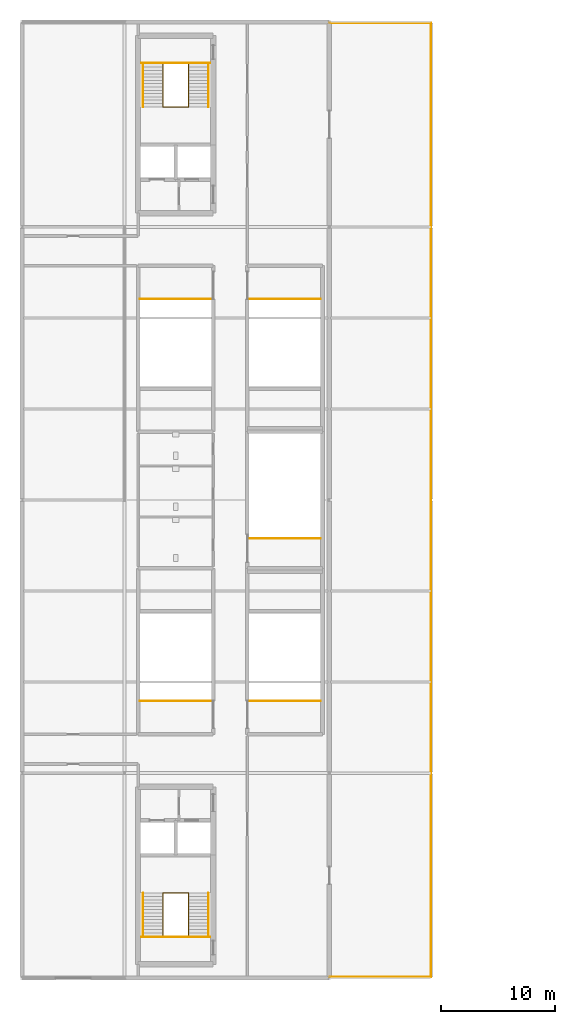
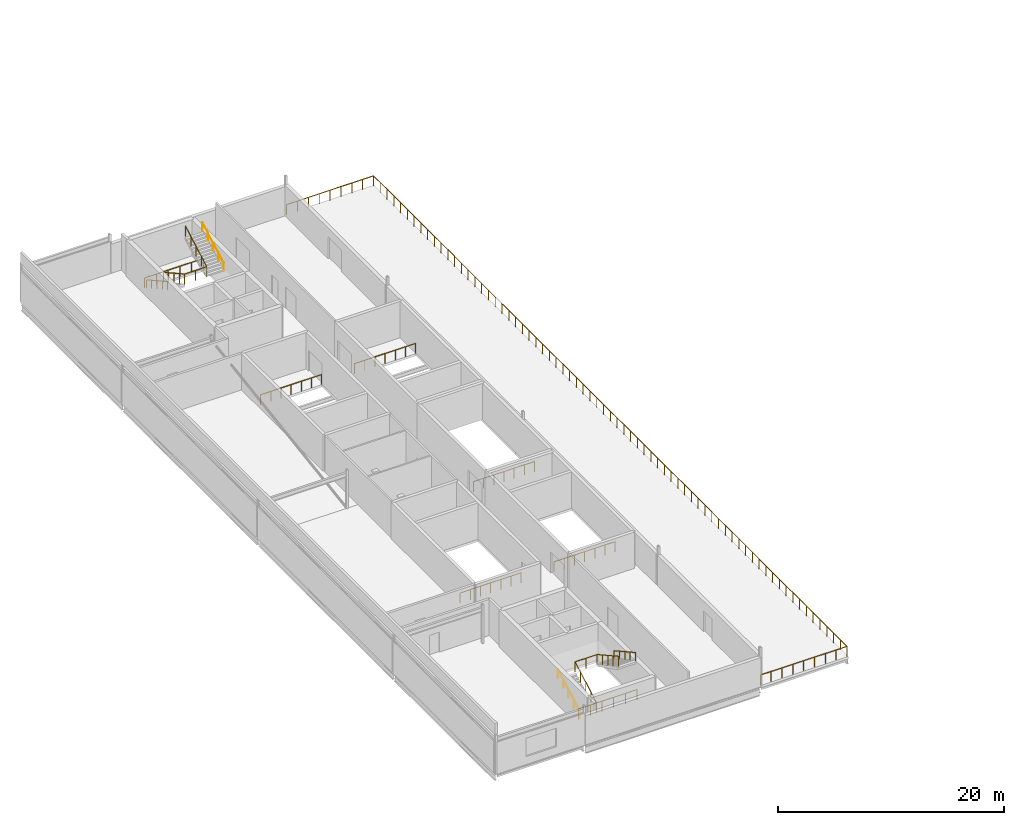
# One storey, part 21 of 23: 14 railings.
"""IFC4 building model written with IfcOpenShell, lengths in metres."""

from ifc_helpers import new_model, si_unit, direction, frame, origin, origin_2d, place, context, subcontext, project, spatial, circle, extrude, material, type_object, element, save


model = new_model("IFC4")

# Units and contexts
model_context = context("Model", 3, precision=1e-05, world=origin(), true_north=direction((0.0, 1.0)))
body_context = subcontext(model_context, "Body", "Model", "MODEL_VIEW")
ifc_project = project(units=[si_unit("LENGTHUNIT", "METRE"), si_unit("AREAUNIT", "SQUARE_METRE"), si_unit("VOLUMEUNIT", "CUBIC_METRE"), si_unit("PLANEANGLEUNIT", "RADIAN"), si_unit("MASSUNIT", "GRAM", prefix="KILO")], contexts=[model_context])

# Site, building, storey
site_placement = place(None, origin())
site = spatial("IfcSite", under=ifc_project, at=site_placement, CompositionType="ELEMENT")
building_placement = place(site_placement, origin())
building = spatial("IfcBuilding", under=site, at=building_placement, Name="Kisiwana Market Hall", CompositionType="ELEMENT")
storey_placement = place(building_placement, frame((0.0, 0.0, 65.699951171875)))
storey = spatial("IfcBuildingStorey", under=building, at=storey_placement, Name="L15", CompositionType="ELEMENT", Elevation=65.699951171875)

# Railings
ifc_material_1 = material(Name="Steel S275", Category="steel")
railing_type_1 = type_object("IfcRailingType", Name="RL-BALUST-1100", PredefinedType="BALUSTRADE", material=ifc_material_1)
railing_1_placement = place(storey_placement, frame((27.050048828125, 18.080078125, 0.0)))
element("IfcRailing", 1, at=railing_1_placement, inside=storey, type_object=railing_type_1, Name="L15 West Observatory Terrace Guardrail 1100 RL-1706", PredefinedType="BALUSTRADE", context=body_context, shape_type="SweptSolid", body=[
    extrude(circle(Radius=0.02392578125, at=origin_2d()), frame((0.0, 0.0, 1.076171875), z_axis=(1.0, 0.0, 0.0), x_axis=(0.0, 1.0, 0.0)), (0.0, 0.0, 1.0), 8.869873046875),
    extrude(circle(Radius=0.02392578125, at=origin_2d()), frame((8.869873046875, 0.0, 1.076171875), z_axis=(0.0, 1.0, 0.0), x_axis=(-1.0, 0.0, 0.0)), (0.0, 0.0, 1.0), 83.83984375),
    extrude(circle(Radius=0.02392578125, at=origin_2d()), frame((8.869873046875, 83.83984375, 1.076171875), z_axis=(-1.0, 0.0, 0.0), x_axis=(0.0, -1.0, 0.0)), (0.0, 0.0, 1.0), 8.869873046875),
    extrude(circle(Radius=0.02099609375, at=origin_2d()), origin(), (0.0, 0.0, 1.0), 1.052001953125),
    extrude(circle(Radius=0.02099609375, at=origin_2d()), frame((1.108642578125, 0.0, 0.0)), (0.0, 0.0, 1.0), 1.052001953125),
    extrude(circle(Radius=0.02099609375, at=origin_2d()), frame((2.217529296875, 0.0, 0.0)), (0.0, 0.0, 1.0), 1.052001953125),
    extrude(circle(Radius=0.02099609375, at=origin_2d()), frame((3.326171875, 0.0, 0.0)), (0.0, 0.0, 1.0), 1.052001953125),
    extrude(circle(Radius=0.02099609375, at=origin_2d()), frame((4.43505859375, 0.0, 0.0)), (0.0, 0.0, 1.0), 1.052001953125),
    extrude(circle(Radius=0.02099609375, at=origin_2d()), frame((5.543701171875, 0.0, 0.0)), (0.0, 0.0, 1.0), 1.052001953125),
    extrude(circle(Radius=0.02099609375, at=origin_2d()), frame((6.65234375, 0.0, 0.0)), (0.0, 0.0, 1.0), 1.052001953125),
    extrude(circle(Radius=0.02099609375, at=origin_2d()), frame((7.76123046875, 0.0, 0.0)), (0.0, 0.0, 1.0), 1.052001953125),
    extrude(circle(Radius=0.02099609375, at=origin_2d()), frame((8.869873046875, 0.0, 0.0)), (0.0, 0.0, 1.0), 1.052001953125),
    extrude(circle(Radius=0.02099609375, at=origin_2d()), frame((8.869873046875, 1.19775390625, 0.0)), (0.0, 0.0, 1.0), 1.052001953125),
    extrude(circle(Radius=0.02099609375, at=origin_2d()), frame((8.869873046875, 2.3955078125, 0.0)), (0.0, 0.0, 1.0), 1.052001953125),
    extrude(circle(Radius=0.02099609375, at=origin_2d()), frame((8.869873046875, 3.593017578125, 0.0)), (0.0, 0.0, 1.0), 1.052001953125),
    extrude(circle(Radius=0.02099609375, at=origin_2d()), frame((8.869873046875, 4.790771484375, 0.0)), (0.0, 0.0, 1.0), 1.052001953125),
    extrude(circle(Radius=0.02099609375, at=origin_2d()), frame((8.869873046875, 5.988525390625, 0.0)), (0.0, 0.0, 1.0), 1.052001953125),
    extrude(circle(Radius=0.02099609375, at=origin_2d()), frame((8.869873046875, 7.186279296875, 0.0)), (0.0, 0.0, 1.0), 1.052001953125),
    extrude(circle(Radius=0.02099609375, at=origin_2d()), frame((8.869873046875, 8.384033203125, 0.0)), (0.0, 0.0, 1.0), 1.052001953125),
    extrude(circle(Radius=0.02099609375, at=origin_2d()), frame((8.869873046875, 9.581787109375, 0.0)), (0.0, 0.0, 1.0), 1.052001953125),
    extrude(circle(Radius=0.02099609375, at=origin_2d()), frame((8.869873046875, 10.779296875, 0.0)), (0.0, 0.0, 1.0), 1.052001953125),
    extrude(circle(Radius=0.02099609375, at=origin_2d()), frame((8.869873046875, 11.97705078125, 0.0)), (0.0, 0.0, 1.0), 1.052001953125),
    extrude(circle(Radius=0.02099609375, at=origin_2d()), frame((8.869873046875, 13.1748046875, 0.0)), (0.0, 0.0, 1.0), 1.052001953125),
    extrude(circle(Radius=0.02099609375, at=origin_2d()), frame((8.869873046875, 14.37255859375, 0.0)), (0.0, 0.0, 1.0), 1.052001953125),
    extrude(circle(Radius=0.02099609375, at=origin_2d()), frame((8.869873046875, 15.5703125, 0.0)), (0.0, 0.0, 1.0), 1.052001953125),
    extrude(circle(Radius=0.02099609375, at=origin_2d()), frame((8.869873046875, 16.76806640625, 0.0)), (0.0, 0.0, 1.0), 1.052001953125),
    extrude(circle(Radius=0.02099609375, at=origin_2d()), frame((8.869873046875, 17.965576171875, 0.0)), (0.0, 0.0, 1.0), 1.052001953125),
    extrude(circle(Radius=0.02099609375, at=origin_2d()), frame((8.869873046875, 19.163330078125, 0.0)), (0.0, 0.0, 1.0), 1.052001953125),
    extrude(circle(Radius=0.02099609375, at=origin_2d()), frame((8.869873046875, 20.361083984375, 0.0)), (0.0, 0.0, 1.0), 1.052001953125),
    extrude(circle(Radius=0.02099609375, at=origin_2d()), frame((8.869873046875, 21.558837890625, 0.0)), (0.0, 0.0, 1.0), 1.052001953125),
    extrude(circle(Radius=0.02099609375, at=origin_2d()), frame((8.869873046875, 22.756591796875, 0.0)), (0.0, 0.0, 1.0), 1.052001953125),
    extrude(circle(Radius=0.02099609375, at=origin_2d()), frame((8.869873046875, 23.954345703125, 0.0)), (0.0, 0.0, 1.0), 1.052001953125),
    extrude(circle(Radius=0.02099609375, at=origin_2d()), frame((8.869873046875, 25.15185546875, 0.0)), (0.0, 0.0, 1.0), 1.052001953125),
    extrude(circle(Radius=0.02099609375, at=origin_2d()), frame((8.869873046875, 26.349609375, 0.0)), (0.0, 0.0, 1.0), 1.052001953125),
    extrude(circle(Radius=0.02099609375, at=origin_2d()), frame((8.869873046875, 27.54736328125, 0.0)), (0.0, 0.0, 1.0), 1.052001953125),
    extrude(circle(Radius=0.02099609375, at=origin_2d()), frame((8.869873046875, 28.7451171875, 0.0)), (0.0, 0.0, 1.0), 1.052001953125),
    extrude(circle(Radius=0.02099609375, at=origin_2d()), frame((8.869873046875, 29.94287109375, 0.0)), (0.0, 0.0, 1.0), 1.052001953125),
    extrude(circle(Radius=0.02099609375, at=origin_2d()), frame((8.869873046875, 31.140625, 0.0)), (0.0, 0.0, 1.0), 1.052001953125),
    extrude(circle(Radius=0.02099609375, at=origin_2d()), frame((8.869873046875, 32.338134765625, 0.0)), (0.0, 0.0, 1.0), 1.052001953125),
    extrude(circle(Radius=0.02099609375, at=origin_2d()), frame((8.869873046875, 33.535888671875, 0.0)), (0.0, 0.0, 1.0), 1.052001953125),
    extrude(circle(Radius=0.02099609375, at=origin_2d()), frame((8.869873046875, 34.733642578125, 0.0)), (0.0, 0.0, 1.0), 1.052001953125),
    extrude(circle(Radius=0.02099609375, at=origin_2d()), frame((8.869873046875, 35.931396484375, 0.0)), (0.0, 0.0, 1.0), 1.052001953125),
    extrude(circle(Radius=0.02099609375, at=origin_2d()), frame((8.869873046875, 37.129150390625, 0.0)), (0.0, 0.0, 1.0), 1.052001953125),
    extrude(circle(Radius=0.02099609375, at=origin_2d()), frame((8.869873046875, 38.326904296875, 0.0)), (0.0, 0.0, 1.0), 1.052001953125),
    extrude(circle(Radius=0.02099609375, at=origin_2d()), frame((8.869873046875, 39.5244140625, 0.0)), (0.0, 0.0, 1.0), 1.052001953125),
    extrude(circle(Radius=0.02099609375, at=origin_2d()), frame((8.869873046875, 40.72216796875, 0.0)), (0.0, 0.0, 1.0), 1.052001953125),
    extrude(circle(Radius=0.02099609375, at=origin_2d()), frame((8.869873046875, 41.919921875, 0.0)), (0.0, 0.0, 1.0), 1.052001953125),
    extrude(circle(Radius=0.02099609375, at=origin_2d()), frame((8.869873046875, 43.11767578125, 0.0)), (0.0, 0.0, 1.0), 1.052001953125),
    extrude(circle(Radius=0.02099609375, at=origin_2d()), frame((8.869873046875, 44.3154296875, 0.0)), (0.0, 0.0, 1.0), 1.052001953125),
    extrude(circle(Radius=0.02099609375, at=origin_2d()), frame((8.869873046875, 45.512939453125, 0.0)), (0.0, 0.0, 1.0), 1.052001953125),
    extrude(circle(Radius=0.02099609375, at=origin_2d()), frame((8.869873046875, 46.710693359375, 0.0)), (0.0, 0.0, 1.0), 1.052001953125),
    extrude(circle(Radius=0.02099609375, at=origin_2d()), frame((8.869873046875, 47.908447265625, 0.0)), (0.0, 0.0, 1.0), 1.052001953125),
    extrude(circle(Radius=0.02099609375, at=origin_2d()), frame((8.869873046875, 49.106201171875, 0.0)), (0.0, 0.0, 1.0), 1.052001953125),
    extrude(circle(Radius=0.02099609375, at=origin_2d()), frame((8.869873046875, 50.303955078125, 0.0)), (0.0, 0.0, 1.0), 1.052001953125),
    extrude(circle(Radius=0.02099609375, at=origin_2d()), frame((8.869873046875, 51.501708984375, 0.0)), (0.0, 0.0, 1.0), 1.052001953125),
    extrude(circle(Radius=0.02099609375, at=origin_2d()), frame((8.869873046875, 52.69921875, 0.0)), (0.0, 0.0, 1.0), 1.052001953125),
    extrude(circle(Radius=0.02099609375, at=origin_2d()), frame((8.869873046875, 53.89697265625, 0.0)), (0.0, 0.0, 1.0), 1.052001953125),
    extrude(circle(Radius=0.02099609375, at=origin_2d()), frame((8.869873046875, 55.0947265625, 0.0)), (0.0, 0.0, 1.0), 1.052001953125),
    extrude(circle(Radius=0.02099609375, at=origin_2d()), frame((8.869873046875, 56.29248046875, 0.0)), (0.0, 0.0, 1.0), 1.052001953125),
    extrude(circle(Radius=0.02099609375, at=origin_2d()), frame((8.869873046875, 57.490234375, 0.0)), (0.0, 0.0, 1.0), 1.052001953125),
    extrude(circle(Radius=0.02099609375, at=origin_2d()), frame((8.869873046875, 58.68798828125, 0.0)), (0.0, 0.0, 1.0), 1.052001953125),
    extrude(circle(Radius=0.02099609375, at=origin_2d()), frame((8.869873046875, 59.885498046875, 0.0)), (0.0, 0.0, 1.0), 1.052001953125),
    extrude(circle(Radius=0.02099609375, at=origin_2d()), frame((8.869873046875, 61.083251953125, 0.0)), (0.0, 0.0, 1.0), 1.052001953125),
    extrude(circle(Radius=0.02099609375, at=origin_2d()), frame((8.869873046875, 62.281005859375, 0.0)), (0.0, 0.0, 1.0), 1.052001953125),
    extrude(circle(Radius=0.02099609375, at=origin_2d()), frame((8.869873046875, 63.478759765625, 0.0)), (0.0, 0.0, 1.0), 1.052001953125),
    extrude(circle(Radius=0.02099609375, at=origin_2d()), frame((8.869873046875, 64.676513671875, 0.0)), (0.0, 0.0, 1.0), 1.052001953125),
    extrude(circle(Radius=0.02099609375, at=origin_2d()), frame((8.869873046875, 65.874267578125, 0.0)), (0.0, 0.0, 1.0), 1.052001953125),
    extrude(circle(Radius=0.02099609375, at=origin_2d()), frame((8.869873046875, 67.07177734375, 0.0)), (0.0, 0.0, 1.0), 1.052001953125),
    extrude(circle(Radius=0.02099609375, at=origin_2d()), frame((8.869873046875, 68.26953125, 0.0)), (0.0, 0.0, 1.0), 1.052001953125),
    extrude(circle(Radius=0.02099609375, at=origin_2d()), frame((8.869873046875, 69.46728515625, 0.0)), (0.0, 0.0, 1.0), 1.052001953125),
    extrude(circle(Radius=0.02099609375, at=origin_2d()), frame((8.869873046875, 70.6650390625, 0.0)), (0.0, 0.0, 1.0), 1.052001953125),
    extrude(circle(Radius=0.02099609375, at=origin_2d()), frame((8.869873046875, 71.86279296875, 0.0)), (0.0, 0.0, 1.0), 1.052001953125),
    extrude(circle(Radius=0.02099609375, at=origin_2d()), frame((8.869873046875, 73.060546875, 0.0)), (0.0, 0.0, 1.0), 1.052001953125),
    extrude(circle(Radius=0.02099609375, at=origin_2d()), frame((8.869873046875, 74.258056640625, 0.0)), (0.0, 0.0, 1.0), 1.052001953125),
    extrude(circle(Radius=0.02099609375, at=origin_2d()), frame((8.869873046875, 75.455810546875, 0.0)), (0.0, 0.0, 1.0), 1.052001953125),
    extrude(circle(Radius=0.02099609375, at=origin_2d()), frame((8.869873046875, 76.653564453125, 0.0)), (0.0, 0.0, 1.0), 1.052001953125),
    extrude(circle(Radius=0.02099609375, at=origin_2d()), frame((8.869873046875, 77.851318359375, 0.0)), (0.0, 0.0, 1.0), 1.052001953125),
    extrude(circle(Radius=0.02099609375, at=origin_2d()), frame((8.869873046875, 79.049072265625, 0.0)), (0.0, 0.0, 1.0), 1.052001953125),
    extrude(circle(Radius=0.02099609375, at=origin_2d()), frame((8.869873046875, 80.246826171875, 0.0)), (0.0, 0.0, 1.0), 1.052001953125),
    extrude(circle(Radius=0.02099609375, at=origin_2d()), frame((8.869873046875, 81.4443359375, 0.0)), (0.0, 0.0, 1.0), 1.052001953125),
    extrude(circle(Radius=0.02099609375, at=origin_2d()), frame((8.869873046875, 82.64208984375, 0.0)), (0.0, 0.0, 1.0), 1.052001953125),
    extrude(circle(Radius=0.02099609375, at=origin_2d()), frame((8.869873046875, 83.83984375, 0.0)), (0.0, 0.0, 1.0), 1.052001953125),
    extrude(circle(Radius=0.02099609375, at=origin_2d()), frame((7.76123046875, 83.83984375, 0.0)), (0.0, 0.0, 1.0), 1.052001953125),
    extrude(circle(Radius=0.02099609375, at=origin_2d()), frame((6.65234375, 83.83984375, 0.0)), (0.0, 0.0, 1.0), 1.052001953125),
    extrude(circle(Radius=0.02099609375, at=origin_2d()), frame((5.543701171875, 83.83984375, 0.0)), (0.0, 0.0, 1.0), 1.052001953125),
    extrude(circle(Radius=0.02099609375, at=origin_2d()), frame((4.43505859375, 83.83984375, 0.0)), (0.0, 0.0, 1.0), 1.052001953125),
    extrude(circle(Radius=0.02099609375, at=origin_2d()), frame((3.326171875, 83.83984375, 0.0)), (0.0, 0.0, 1.0), 1.052001953125),
    extrude(circle(Radius=0.02099609375, at=origin_2d()), frame((2.217529296875, 83.83984375, 0.0)), (0.0, 0.0, 1.0), 1.052001953125),
    extrude(circle(Radius=0.02099609375, at=origin_2d()), frame((1.108642578125, 83.83984375, 0.0)), (0.0, 0.0, 1.0), 1.052001953125),
    extrude(circle(Radius=0.02099609375, at=origin_2d()), frame((0.0, 83.83984375, 0.0)), (0.0, 0.0, 1.0), 1.052001953125),
])
ifc_material_2 = material(Name="Steel S275", Category="steel")
railing_type_2 = type_object("IfcRailingType", Name="RL-GUARD-1100", PredefinedType="GUARDRAIL", material=ifc_material_2)
railing_2_placement = place(storey_placement, frame((12.375, 21.674560546875, 0.0)))
element("IfcRailing", 2, at=railing_2_placement, inside=storey, type_object=railing_type_2, Name="Stair ST-W2-L15 inner-well guardrail (RL-1663)", PredefinedType="GUARDRAIL", context=body_context, shape_type="SweptSolid", body=[
    extrude(circle(Radius=0.02392578125, at=origin_2d()), frame((0.0, 0.0, 1.076171875), z_axis=(0.0, 0.873601648441, 0.486641716092), x_axis=(-1.0, 0.0, 0.0)), (0.0, 0.0, 1.0), 4.3154296875),
    extrude(circle(Radius=0.02392578125, at=origin_2d()), frame((0.0, 3.77001953125, 3.17626953125), z_axis=(1.0, 0.0, 0.0), x_axis=(0.0, 1.0, 0.0)), (0.0, 0.0, 1.0), 2.25),
    extrude(circle(Radius=0.02392578125, at=origin_2d()), frame((2.25, 3.77001953125, 3.17626953125), z_axis=(0.0, -0.873625699011, 0.486598538867), x_axis=(1.0, 0.0, 0.0)), (0.0, 0.0, 1.0), 4.3154296875),
    extrude(circle(Radius=0.02099609375, at=origin_2d()), origin(), (0.0, 0.0, 1.0), 1.052001953125),
    extrude(circle(Radius=0.02099609375, at=origin_2d()), frame((0.0, 0.9423828125, 0.52490234375)), (0.0, 0.0, 1.0), 1.052001953125),
    extrude(circle(Radius=0.02099609375, at=origin_2d()), frame((0.0, 1.885009765625, 1.050048828125)), (0.0, 0.0, 1.0), 1.052001953125),
    extrude(circle(Radius=0.02099609375, at=origin_2d()), frame((0.0, 2.82763671875, 1.5751953125)), (0.0, 0.0, 1.0), 1.052001953125),
    extrude(circle(Radius=0.02099609375, at=origin_2d()), frame((0.0, 3.77001953125, 2.10009765625)), (0.0, 0.0, 1.0), 1.052001953125),
    extrude(circle(Radius=0.02099609375, at=origin_2d()), frame((1.125, 3.77001953125, 2.10009765625)), (0.0, 0.0, 1.0), 1.052001953125),
    extrude(circle(Radius=0.02099609375, at=origin_2d()), frame((2.25, 3.77001953125, 2.10009765625)), (0.0, 0.0, 1.0), 1.052001953125),
    extrude(circle(Radius=0.02099609375, at=origin_2d()), frame((2.25, 2.82763671875, 2.625)), (0.0, 0.0, 1.0), 1.052001953125),
    extrude(circle(Radius=0.02099609375, at=origin_2d()), frame((2.25, 1.885009765625, 3.14990234375)), (0.0, 0.0, 1.0), 1.052001953125),
    extrude(circle(Radius=0.02099609375, at=origin_2d()), frame((2.25, 0.9423828125, 3.675048828125)), (0.0, 0.0, 1.0), 1.052001953125),
    extrude(circle(Radius=0.02099609375, at=origin_2d()), frame((2.25, 0.0, 4.199951171875)), (0.0, 0.0, 1.0), 1.052001953125),
])
railing_3_placement = place(storey_placement, frame((10.5048828125, 21.594482421875, 0.0)))
element("IfcRailing", 3, at=railing_3_placement, inside=storey, type_object=railing_type_2, Name="Stair ST-W2-L15 landing edge guardrail (RL-1666)", PredefinedType="GUARDRAIL", context=body_context, shape_type="SweptSolid", body=[
    extrude(circle(Radius=0.02392578125, at=origin_2d()), frame((0.0, 0.0, 1.076171875), z_axis=(1.0, 0.0, 0.0), x_axis=(0.0, 1.0, 0.0)), (0.0, 0.0, 1.0), 5.990234375),
    extrude(circle(Radius=0.02099609375, at=origin_2d()), origin(), (0.0, 0.0, 1.0), 1.052001953125),
    extrude(circle(Radius=0.02099609375, at=origin_2d()), frame((1.197998046875, 0.0, 0.0)), (0.0, 0.0, 1.0), 1.052001953125),
    extrude(circle(Radius=0.02099609375, at=origin_2d()), frame((2.39599609375, 0.0, 0.0)), (0.0, 0.0, 1.0), 1.052001953125),
    extrude(circle(Radius=0.02099609375, at=origin_2d()), frame((3.59423828125, 0.0, 0.0)), (0.0, 0.0, 1.0), 1.052001953125),
    extrude(circle(Radius=0.02099609375, at=origin_2d()), frame((4.792236328125, 0.0, 0.0)), (0.0, 0.0, 1.0), 1.052001953125),
    extrude(circle(Radius=0.02099609375, at=origin_2d()), frame((5.990234375, 0.0, 0.0)), (0.0, 0.0, 1.0), 1.052001953125),
])
railing_4_placement = place(storey_placement, frame((12.375, 98.325439453125, 0.0)))
element("IfcRailing", 4, at=railing_4_placement, inside=storey, type_object=railing_type_2, Name="Stair ST-W1-L15 inner-well guardrail (RL-1667)", PredefinedType="GUARDRAIL", context=body_context, shape_type="SweptSolid", body=[
    extrude(circle(Radius=0.02392578125, at=origin_2d()), frame((0.0, 0.0, 1.076171875), z_axis=(0.0, -0.873601648441, 0.486641716092), x_axis=(1.0, 0.0, 0.0)), (0.0, 0.0, 1.0), 4.3154296875),
    extrude(circle(Radius=0.02392578125, at=origin_2d()), frame((0.0, -3.77001953125, 3.17626953125), z_axis=(1.0, 0.0, 0.0), x_axis=(0.0, 1.0, 0.0)), (0.0, 0.0, 1.0), 2.25),
    extrude(circle(Radius=0.02392578125, at=origin_2d()), frame((2.25, -3.77001953125, 3.17626953125), z_axis=(0.0, 0.873625699011, 0.486598538867), x_axis=(-1.0, 0.0, 0.0)), (0.0, 0.0, 1.0), 4.3154296875),
    extrude(circle(Radius=0.02099609375, at=origin_2d()), origin(), (0.0, 0.0, 1.0), 1.052001953125),
    extrude(circle(Radius=0.02099609375, at=origin_2d()), frame((0.0, -0.9423828125, 0.52490234375)), (0.0, 0.0, 1.0), 1.052001953125),
    extrude(circle(Radius=0.02099609375, at=origin_2d()), frame((0.0, -1.885009765625, 1.050048828125)), (0.0, 0.0, 1.0), 1.052001953125),
    extrude(circle(Radius=0.02099609375, at=origin_2d()), frame((0.0, -2.82763671875, 1.5751953125)), (0.0, 0.0, 1.0), 1.052001953125),
    extrude(circle(Radius=0.02099609375, at=origin_2d()), frame((0.0, -3.77001953125, 2.10009765625)), (0.0, 0.0, 1.0), 1.052001953125),
    extrude(circle(Radius=0.02099609375, at=origin_2d()), frame((1.125, -3.77001953125, 2.10009765625)), (0.0, 0.0, 1.0), 1.052001953125),
    extrude(circle(Radius=0.02099609375, at=origin_2d()), frame((2.25, -3.77001953125, 2.10009765625)), (0.0, 0.0, 1.0), 1.052001953125),
    extrude(circle(Radius=0.02099609375, at=origin_2d()), frame((2.25, -2.82763671875, 2.625)), (0.0, 0.0, 1.0), 1.052001953125),
    extrude(circle(Radius=0.02099609375, at=origin_2d()), frame((2.25, -1.885009765625, 3.14990234375)), (0.0, 0.0, 1.0), 1.052001953125),
    extrude(circle(Radius=0.02099609375, at=origin_2d()), frame((2.25, -0.9423828125, 3.675048828125)), (0.0, 0.0, 1.0), 1.052001953125),
    extrude(circle(Radius=0.02099609375, at=origin_2d()), frame((2.25, 0.0, 4.199951171875)), (0.0, 0.0, 1.0), 1.052001953125),
])
railing_5_placement = place(storey_placement, frame((10.5048828125, 98.405517578125, 0.0)))
element("IfcRailing", 5, at=railing_5_placement, inside=storey, type_object=railing_type_2, Name="Stair ST-W1-L15 landing edge guardrail (RL-1670)", PredefinedType="GUARDRAIL", context=body_context, shape_type="SweptSolid", body=[
    extrude(circle(Radius=0.02392578125, at=origin_2d()), frame((0.0, 0.0, 1.076171875), z_axis=(1.0, 0.0, 0.0), x_axis=(0.0, 1.0, 0.0)), (0.0, 0.0, 1.0), 5.990234375),
    extrude(circle(Radius=0.02099609375, at=origin_2d()), origin(), (0.0, 0.0, 1.0), 1.052001953125),
    extrude(circle(Radius=0.02099609375, at=origin_2d()), frame((1.197998046875, 0.0, 0.0)), (0.0, 0.0, 1.0), 1.052001953125),
    extrude(circle(Radius=0.02099609375, at=origin_2d()), frame((2.39599609375, 0.0, 0.0)), (0.0, 0.0, 1.0), 1.052001953125),
    extrude(circle(Radius=0.02099609375, at=origin_2d()), frame((3.59423828125, 0.0, 0.0)), (0.0, 0.0, 1.0), 1.052001953125),
    extrude(circle(Radius=0.02099609375, at=origin_2d()), frame((4.792236328125, 0.0, 0.0)), (0.0, 0.0, 1.0), 1.052001953125),
    extrude(circle(Radius=0.02099609375, at=origin_2d()), frame((5.990234375, 0.0, 0.0)), (0.0, 0.0, 1.0), 1.052001953125),
])
for number, where, name in (
    (6, (10.3798828125, 42.340087890625, 0.0), "Core W3 top stairwell guardrail (L15) (RL-1679)"),
    (7, (10.3798828125, 77.659912109375, 0.0), "Core W4 top stairwell guardrail (L15) (RL-1680)"),
):
    element("IfcRailing", number, at=place(storey_placement, frame(where)), inside=storey, type_object=railing_type_2, Name=name, PredefinedType="GUARDRAIL", context=body_context, shape_type="SweptSolid", body=[
        extrude(circle(Radius=0.02392578125, at=origin_2d()), frame((0.0, 0.0, 1.076171875), z_axis=(1.0, 0.0, 0.0), x_axis=(0.0, 1.0, 0.0)), (0.0, 0.0, 1.0), 6.240234375),
        extrude(circle(Radius=0.02099609375, at=origin_2d()), origin(), (0.0, 0.0, 1.0), 1.052001953125),
        extrude(circle(Radius=0.02099609375, at=origin_2d()), frame((1.0400390625, 0.0, 0.0)), (0.0, 0.0, 1.0), 1.052001953125),
        extrude(circle(Radius=0.02099609375, at=origin_2d()), frame((2.080078125, 0.0, 0.0)), (0.0, 0.0, 1.0), 1.052001953125),
        extrude(circle(Radius=0.02099609375, at=origin_2d()), frame((3.1201171875, 0.0, 0.0)), (0.0, 0.0, 1.0), 1.052001953125),
        extrude(circle(Radius=0.02099609375, at=origin_2d()), frame((4.16015625, 0.0, 0.0)), (0.0, 0.0, 1.0), 1.052001953125),
        extrude(circle(Radius=0.02099609375, at=origin_2d()), frame((5.2001953125, 0.0, 0.0)), (0.0, 0.0, 1.0), 1.052001953125),
        extrude(circle(Radius=0.02099609375, at=origin_2d()), frame((6.240234375, 0.0, 0.0)), (0.0, 0.0, 1.0), 1.052001953125),
    ])
for number, where, name in (
    (8, (19.97998046875, 42.340087890625, 0.0), "Core W7 top stairwell guardrail (L15) (RL-1683)"),
    (9, (19.97998046875, 77.659912109375, 0.0), "Core W8 top stairwell guardrail (L15) (RL-1685)"),
    (10, (19.97998046875, 56.6201171875, 0.0), "Core W5 top stairwell guardrail (L15) (RL-1687)"),
):
    element("IfcRailing", number, at=place(storey_placement, frame(where)), inside=storey, type_object=railing_type_2, Name=name, PredefinedType="GUARDRAIL", context=body_context, shape_type="SweptSolid", body=[
        extrude(circle(Radius=0.02392578125, at=origin_2d()), frame((0.0, 0.0, 1.076171875), z_axis=(1.0, 0.0, 0.0), x_axis=(0.0, 1.0, 0.0)), (0.0, 0.0, 1.0), 6.239990234375),
        extrude(circle(Radius=0.02099609375, at=origin_2d()), origin(), (0.0, 0.0, 1.0), 1.052001953125),
        extrude(circle(Radius=0.02099609375, at=origin_2d()), frame((1.0400390625, 0.0, 0.0)), (0.0, 0.0, 1.0), 1.052001953125),
        extrude(circle(Radius=0.02099609375, at=origin_2d()), frame((2.080078125, 0.0, 0.0)), (0.0, 0.0, 1.0), 1.052001953125),
        extrude(circle(Radius=0.02099609375, at=origin_2d()), frame((3.1201171875, 0.0, 0.0)), (0.0, 0.0, 1.0), 1.052001953125),
        extrude(circle(Radius=0.02099609375, at=origin_2d()), frame((4.159912109375, 0.0, 0.0)), (0.0, 0.0, 1.0), 1.052001953125),
        extrude(circle(Radius=0.02099609375, at=origin_2d()), frame((5.199951171875, 0.0, 0.0)), (0.0, 0.0, 1.0), 1.052001953125),
        extrude(circle(Radius=0.02099609375, at=origin_2d()), frame((6.239990234375, 0.0, 0.0)), (0.0, 0.0, 1.0), 1.052001953125),
    ])
ifc_material_3 = material(Name="Steel S275", Category="steel")
railing_type_3 = type_object("IfcRailingType", Name="RL-HAND-900", PredefinedType="HANDRAIL", material=ifc_material_3)
railing_6_placement = place(storey_placement, frame((10.635009765625, 21.674560546875, 0.0)))
element("IfcRailing", 11, at=railing_6_placement, inside=storey, type_object=railing_type_3, Name="Stair ST-W2-L15 flight 1 handrail (RL-1664)", PredefinedType="HANDRAIL", context=body_context, shape_type="SweptSolid", body=[
    extrude(circle(Radius=0.02392578125, at=origin_2d()), frame((0.0, 0.0, 0.8759765625), z_axis=(0.0, 0.873601648441, 0.486641716092), x_axis=(-1.0, 0.0, 0.0)), (0.0, 0.0, 1.0), 4.3154296875),
    extrude(circle(Radius=0.02099609375, at=origin_2d()), origin(), (0.0, 0.0, 1.0), 0.851806640625),
    extrude(circle(Radius=0.02099609375, at=origin_2d()), frame((0.0, 0.9423828125, 0.52490234375)), (0.0, 0.0, 1.0), 0.851806640625),
    extrude(circle(Radius=0.02099609375, at=origin_2d()), frame((0.0, 1.885009765625, 1.050048828125)), (0.0, 0.0, 1.0), 0.851806640625),
    extrude(circle(Radius=0.02099609375, at=origin_2d()), frame((0.0, 2.82763671875, 1.5751953125)), (0.0, 0.0, 1.0), 0.851806640625),
    extrude(circle(Radius=0.02099609375, at=origin_2d()), frame((0.0, 3.77001953125, 2.10009765625)), (0.0, 0.0, 1.0), 0.851806640625),
])
railing_7_placement = place(storey_placement, frame((16.364990234375, 25.444580078125, 2.10009765625)))
element("IfcRailing", 12, at=railing_7_placement, inside=storey, type_object=railing_type_3, Name="Stair ST-W2-L15 flight 2 handrail (RL-1665)", PredefinedType="HANDRAIL", context=body_context, shape_type="SweptSolid", body=[
    extrude(circle(Radius=0.02392578125, at=origin_2d()), frame((0.0, 0.0, 0.8759765625), z_axis=(0.0, -0.873625699011, 0.486598538867), x_axis=(1.0, 0.0, 0.0)), (0.0, 0.0, 1.0), 4.3154296875),
    extrude(circle(Radius=0.02099609375, at=origin_2d()), origin(), (0.0, 0.0, 1.0), 0.851806640625),
    extrude(circle(Radius=0.02099609375, at=origin_2d()), frame((0.0, -0.9423828125, 0.52490234375)), (0.0, 0.0, 1.0), 0.851806640625),
    extrude(circle(Radius=0.02099609375, at=origin_2d()), frame((0.0, -1.885009765625, 1.0498046875)), (0.0, 0.0, 1.0), 0.851806640625),
    extrude(circle(Radius=0.02099609375, at=origin_2d()), frame((0.0, -2.82763671875, 1.574951171875)), (0.0, 0.0, 1.0), 0.851806640625),
    extrude(circle(Radius=0.02099609375, at=origin_2d()), frame((0.0, -3.77001953125, 2.099853515625)), (0.0, 0.0, 1.0), 0.851806640625),
])
railing_8_placement = place(storey_placement, frame((10.635009765625, 98.325439453125, 0.0)))
element("IfcRailing", 13, at=railing_8_placement, inside=storey, type_object=railing_type_3, Name="Stair ST-W1-L15 flight 1 handrail (RL-1668)", PredefinedType="HANDRAIL", context=body_context, shape_type="SweptSolid", body=[
    extrude(circle(Radius=0.02392578125, at=origin_2d()), frame((0.0, 0.0, 0.8759765625), z_axis=(0.0, -0.873601648441, 0.486641716092), x_axis=(1.0, 0.0, 0.0)), (0.0, 0.0, 1.0), 4.3154296875),
    extrude(circle(Radius=0.02099609375, at=origin_2d()), origin(), (0.0, 0.0, 1.0), 0.851806640625),
    extrude(circle(Radius=0.02099609375, at=origin_2d()), frame((0.0, -0.9423828125, 0.52490234375)), (0.0, 0.0, 1.0), 0.851806640625),
    extrude(circle(Radius=0.02099609375, at=origin_2d()), frame((0.0, -1.885009765625, 1.050048828125)), (0.0, 0.0, 1.0), 0.851806640625),
    extrude(circle(Radius=0.02099609375, at=origin_2d()), frame((0.0, -2.82763671875, 1.5751953125)), (0.0, 0.0, 1.0), 0.851806640625),
    extrude(circle(Radius=0.02099609375, at=origin_2d()), frame((0.0, -3.77001953125, 2.10009765625)), (0.0, 0.0, 1.0), 0.851806640625),
])
railing_9_placement = place(storey_placement, frame((16.364990234375, 94.555419921875, 2.10009765625)))
element("IfcRailing", 14, at=railing_9_placement, inside=storey, type_object=railing_type_3, Name="Stair ST-W1-L15 flight 2 handrail (RL-1669)", PredefinedType="HANDRAIL", context=body_context, shape_type="SweptSolid", body=[
    extrude(circle(Radius=0.02392578125, at=origin_2d()), frame((0.0, 0.0, 0.8759765625), z_axis=(0.0, 0.873625699011, 0.486598538867), x_axis=(-1.0, 0.0, 0.0)), (0.0, 0.0, 1.0), 4.3154296875),
    extrude(circle(Radius=0.02099609375, at=origin_2d()), origin(), (0.0, 0.0, 1.0), 0.851806640625),
    extrude(circle(Radius=0.02099609375, at=origin_2d()), frame((0.0, 0.9423828125, 0.52490234375)), (0.0, 0.0, 1.0), 0.851806640625),
    extrude(circle(Radius=0.02099609375, at=origin_2d()), frame((0.0, 1.885009765625, 1.0498046875)), (0.0, 0.0, 1.0), 0.851806640625),
    extrude(circle(Radius=0.02099609375, at=origin_2d()), frame((0.0, 2.82763671875, 1.574951171875)), (0.0, 0.0, 1.0), 0.851806640625),
    extrude(circle(Radius=0.02099609375, at=origin_2d()), frame((0.0, 3.77001953125, 2.099853515625)), (0.0, 0.0, 1.0), 0.851806640625),
])

save(model, "model.ifc")
